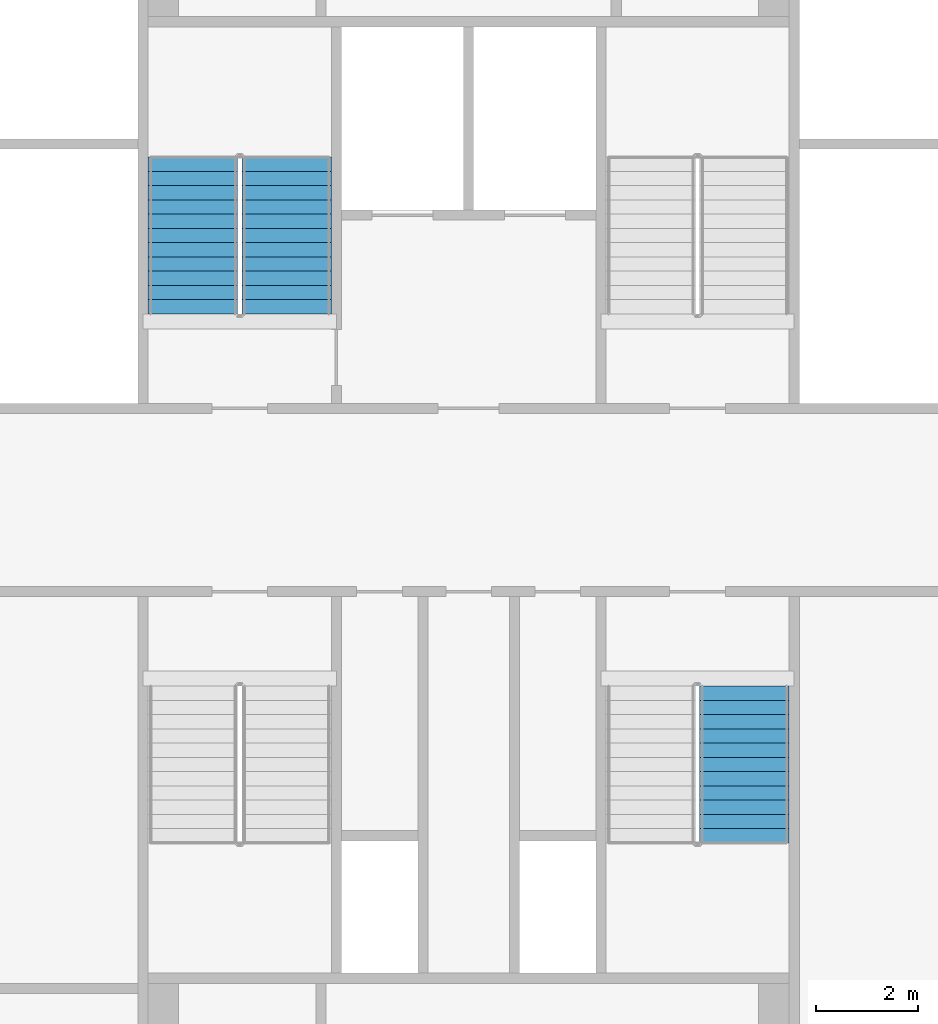
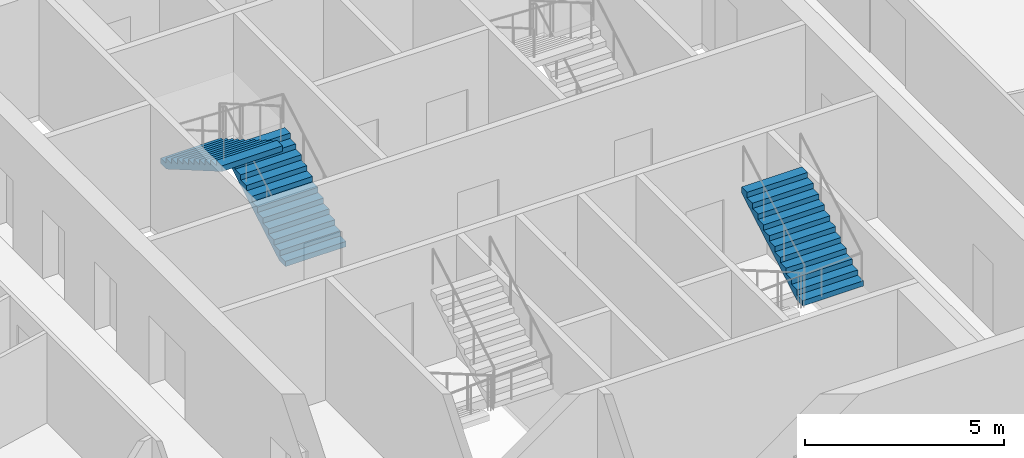
# One storey, part 16 of 22: 3 stair flights, 2 elements without a shape of their own.
"""IFC4 building model written with IfcOpenShell, lengths in metres."""

from ifc_helpers import new_model, si_unit, direction, frame, origin, place, context, subcontext, project, spatial, faceted_brep, material, type_object, element, aggregate, save


model = new_model("IFC4")

# Units and contexts
model_context = context("Model", 3, precision=1e-05, world=origin(), true_north=direction((0.0, 1.0)))
body_context = subcontext(model_context, "Body", "Model", "MODEL_VIEW")
ifc_project = project(units=[si_unit("LENGTHUNIT", "METRE"), si_unit("AREAUNIT", "SQUARE_METRE"), si_unit("VOLUMEUNIT", "CUBIC_METRE"), si_unit("PLANEANGLEUNIT", "RADIAN"), si_unit("MASSUNIT", "GRAM", prefix="KILO")], contexts=[model_context])

# Site, building, storey
site_placement = place(None, origin())
site = spatial("IfcSite", under=ifc_project, at=site_placement, CompositionType="ELEMENT")
building_placement = place(site_placement, origin())
building = spatial("IfcBuilding", under=site, at=building_placement, Name="Tarsis Ring Headquarters", CompositionType="ELEMENT")
storey_placement = place(building_placement, frame((0.0, 0.0, 339.199951171875)))
storey = spatial("IfcBuildingStorey", under=building, at=storey_placement, Name="L80", CompositionType="ELEMENT", Elevation=339.199951171875)

# Stair, stair flights
ifc_material_1 = material(Name="Core stair 1760")
stair_type = type_object("IfcStairType", Name="Core stair 1760", PredefinedType="HALF_TURN_STAIR", material=ifc_material_1)
stair_1_placement = place(storey_placement, origin())
stair_1 = element("IfcStair", 1, at=stair_1_placement, inside=storey, type_object=stair_type, Name="L80 Firefighting stair", PredefinedType="HALF_TURN_STAIR")
ifc_material_2 = material(Name="Concrete C40/50", Category="concrete")
stair_flight_type = type_object("IfcStairFlightType", Name="Core stair flight 1760", PredefinedType="STRAIGHT", material=ifc_material_2)
stair_flight_1_placement = place(storey_placement, frame((-3.580078125, 3.659912109375, 0.0), z_axis=(0.0, 0.0, 1.0), x_axis=(0.0, 1.0, 0.0)))
stair_flight_1 = element("IfcStairFlight", 2, at=stair_flight_1_placement, type_object=stair_flight_type, Name="Stair ST1 flight 1", NumberOfRisers=12, NumberOfTreads=11, PredefinedType="STRAIGHT", RiserHeight=0.1625, TreadLength=0.28, context=body_context, shape_type="Brep", body=[
    faceted_brep([(0.0, 0.8798828125, 0.0), (0.0, 0.8798828125, 0.16259765625), (0.280029296875, 0.8798828125, 0.16259765625), (0.280029296875, 0.8798828125, 0.324951171875), (0.56005859375, 0.8798828125, 0.324951171875), (0.56005859375, 0.8798828125, 0.487548828125), (0.840087890625, 0.8798828125, 0.487548828125), (0.840087890625, 0.8798828125, 0.64990234375), (1.1201171875, 0.8798828125, 0.64990234375), (1.1201171875, 0.8798828125, 0.8125), (1.39990234375, 0.8798828125, 0.8125), (1.39990234375, 0.8798828125, 0.97509765625), (1.679931640625, 0.8798828125, 0.97509765625), (1.679931640625, 0.8798828125, 1.137451171875), (1.9599609375, 0.8798828125, 1.137451171875), (1.9599609375, 0.8798828125, 1.300048828125), (2.239990234375, 0.8798828125, 1.300048828125), (2.239990234375, 0.8798828125, 1.46240234375), (2.52001953125, 0.8798828125, 1.46240234375), (2.52001953125, 0.8798828125, 1.625), (2.800048828125, 0.8798828125, 1.625), (2.800048828125, 0.8798828125, 1.78759765625), (3.080078125, 0.8798828125, 1.78759765625), (3.080078125, 0.8798828125, 1.6142578125), (0.298583984375, 0.8798828125, 0.0), (0.298583984375, -0.8798828125, 0.0), (3.080078125, -0.8798828125, 1.6142578125), (3.080078125, -0.8798828125, 1.78759765625), (2.800048828125, -0.8798828125, 1.78759765625), (2.800048828125, -0.8798828125, 1.625), (2.52001953125, -0.8798828125, 1.625), (2.52001953125, -0.8798828125, 1.46240234375), (2.239990234375, -0.8798828125, 1.46240234375), (2.239990234375, -0.8798828125, 1.300048828125), (1.9599609375, -0.8798828125, 1.300048828125), (1.9599609375, -0.8798828125, 1.137451171875), (1.679931640625, -0.8798828125, 1.137451171875), (1.679931640625, -0.8798828125, 0.97509765625), (1.39990234375, -0.8798828125, 0.97509765625), (1.39990234375, -0.8798828125, 0.8125), (1.1201171875, -0.8798828125, 0.8125), (1.1201171875, -0.8798828125, 0.64990234375), (0.840087890625, -0.8798828125, 0.64990234375), (0.840087890625, -0.8798828125, 0.487548828125), (0.56005859375, -0.8798828125, 0.487548828125), (0.56005859375, -0.8798828125, 0.324951171875), (0.280029296875, -0.8798828125, 0.324951171875), (0.280029296875, -0.8798828125, 0.16259765625), (0.0, -0.8798828125, 0.16259765625), (0.0, -0.8798828125, 0.0), (0.0, -0.43994140625, 0.16259765625), (0.0, -0.43994140625, 0.0), (0.0, 0.0, 0.16259765625), (0.0, 0.0, 0.0), (0.0, 0.43994140625, 0.16259765625), (0.0, 0.43994140625, 0.0), (0.280029296875, -0.43994140625, 0.16259765625), (0.280029296875, 0.0, 0.16259765625), (0.280029296875, 0.43994140625, 0.16259765625), (0.280029296875, -0.43994140625, 0.324951171875), (0.280029296875, 0.0, 0.324951171875), (0.280029296875, 0.43994140625, 0.324951171875), (0.56005859375, -0.43994140625, 0.324951171875), (0.56005859375, 0.0, 0.324951171875), (0.56005859375, 0.43994140625, 0.324951171875), (0.56005859375, -0.43994140625, 0.487548828125), (0.56005859375, 0.0, 0.487548828125), (0.56005859375, 0.43994140625, 0.487548828125), (0.840087890625, -0.43994140625, 0.487548828125), (0.840087890625, 0.0, 0.487548828125), (0.840087890625, 0.43994140625, 0.487548828125), (0.840087890625, -0.43994140625, 0.64990234375), (0.840087890625, 0.0, 0.64990234375), (0.840087890625, 0.43994140625, 0.64990234375), (1.1201171875, -0.43994140625, 0.64990234375), (1.1201171875, 0.0, 0.64990234375), (1.1201171875, 0.43994140625, 0.64990234375), (1.1201171875, -0.43994140625, 0.8125), (1.1201171875, 0.0, 0.8125), (1.1201171875, 0.43994140625, 0.8125), (1.39990234375, -0.43994140625, 0.8125), (1.39990234375, 0.0, 0.8125), (1.39990234375, 0.43994140625, 0.8125), (1.39990234375, -0.43994140625, 0.97509765625), (1.39990234375, 0.0, 0.97509765625), (1.39990234375, 0.43994140625, 0.97509765625), (1.679931640625, -0.43994140625, 0.97509765625), (1.679931640625, 0.0, 0.97509765625), (1.679931640625, 0.43994140625, 0.97509765625), (1.679931640625, -0.43994140625, 1.137451171875), (1.679931640625, 0.0, 1.137451171875), (1.679931640625, 0.43994140625, 1.137451171875), (1.9599609375, -0.43994140625, 1.137451171875), (1.9599609375, 0.0, 1.137451171875), (1.9599609375, 0.43994140625, 1.137451171875), (1.9599609375, -0.43994140625, 1.300048828125), (1.9599609375, 0.0, 1.300048828125), (1.9599609375, 0.43994140625, 1.300048828125), (2.239990234375, -0.43994140625, 1.300048828125), (2.239990234375, 0.0, 1.300048828125), (2.239990234375, 0.43994140625, 1.300048828125), (2.239990234375, -0.43994140625, 1.46240234375), (2.239990234375, 0.0, 1.46240234375), (2.239990234375, 0.43994140625, 1.46240234375), (2.52001953125, -0.43994140625, 1.46240234375), (2.52001953125, 0.0, 1.46240234375), (2.52001953125, 0.43994140625, 1.46240234375), (2.52001953125, -0.43994140625, 1.625), (2.52001953125, 0.0, 1.625), (2.52001953125, 0.43994140625, 1.625), (2.800048828125, -0.43994140625, 1.625), (2.800048828125, 0.0, 1.625), (2.800048828125, 0.43994140625, 1.625), (2.800048828125, -0.43994140625, 1.78759765625), (2.800048828125, 0.0, 1.78759765625), (2.800048828125, 0.43994140625, 1.78759765625), (3.080078125, -0.43994140625, 1.78759765625), (3.080078125, 0.0, 1.78759765625), (3.080078125, 0.43994140625, 1.78759765625), (3.080078125, -0.43994140625, 1.6142578125), (3.080078125, 0.0, 1.6142578125), (3.080078125, 0.43994140625, 1.6142578125), (0.298583984375, -0.43994140625, 0.0), (0.298583984375, 0.0, 0.0), (0.298583984375, 0.43994140625, 0.0)], [[[0, 1, 2, 3, 4, 5, 6, 7, 8, 9, 10, 11, 12, 13, 14, 15, 16, 17, 18, 19, 20, 21, 22, 23, 24]], [[25, 26, 27, 28, 29, 30, 31, 32, 33, 34, 35, 36, 37, 38, 39, 40, 41, 42, 43, 44, 45, 46, 47, 48, 49]], [[49, 48, 50, 51]], [[51, 50, 52, 53]], [[53, 52, 54, 55]], [[55, 54, 1, 0]], [[48, 47, 56, 50]], [[50, 56, 57, 52]], [[52, 57, 58, 54]], [[54, 58, 2, 1]], [[47, 46, 59, 56]], [[56, 59, 60, 57]], [[57, 60, 61, 58]], [[58, 61, 3, 2]], [[46, 45, 62, 59]], [[59, 62, 63, 60]], [[60, 63, 64, 61]], [[61, 64, 4, 3]], [[45, 44, 65, 62]], [[62, 65, 66, 63]], [[63, 66, 67, 64]], [[64, 67, 5, 4]], [[44, 43, 68, 65]], [[65, 68, 69, 66]], [[66, 69, 70, 67]], [[67, 70, 6, 5]], [[43, 42, 71, 68]], [[68, 71, 72, 69]], [[69, 72, 73, 70]], [[70, 73, 7, 6]], [[42, 41, 74, 71]], [[71, 74, 75, 72]], [[72, 75, 76, 73]], [[73, 76, 8, 7]], [[41, 40, 77, 74]], [[74, 77, 78, 75]], [[75, 78, 79, 76]], [[76, 79, 9, 8]], [[40, 39, 80, 77]], [[77, 80, 81, 78]], [[78, 81, 82, 79]], [[79, 82, 10, 9]], [[39, 38, 83, 80]], [[80, 83, 84, 81]], [[81, 84, 85, 82]], [[82, 85, 11, 10]], [[38, 37, 86, 83]], [[83, 86, 87, 84]], [[84, 87, 88, 85]], [[85, 88, 12, 11]], [[37, 36, 89, 86]], [[86, 89, 90, 87]], [[87, 90, 91, 88]], [[88, 91, 13, 12]], [[36, 35, 92, 89]], [[89, 92, 93, 90]], [[90, 93, 94, 91]], [[91, 94, 14, 13]], [[35, 34, 95, 92]], [[92, 95, 96, 93]], [[93, 96, 97, 94]], [[94, 97, 15, 14]], [[34, 33, 98, 95]], [[95, 98, 99, 96]], [[96, 99, 100, 97]], [[97, 100, 16, 15]], [[33, 32, 101, 98]], [[98, 101, 102, 99]], [[99, 102, 103, 100]], [[100, 103, 17, 16]], [[32, 31, 104, 101]], [[101, 104, 105, 102]], [[102, 105, 106, 103]], [[103, 106, 18, 17]], [[31, 30, 107, 104]], [[104, 107, 108, 105]], [[105, 108, 109, 106]], [[106, 109, 19, 18]], [[30, 29, 110, 107]], [[107, 110, 111, 108]], [[108, 111, 112, 109]], [[109, 112, 20, 19]], [[29, 28, 113, 110]], [[110, 113, 114, 111]], [[111, 114, 115, 112]], [[112, 115, 21, 20]], [[28, 27, 116, 113]], [[113, 116, 117, 114]], [[114, 117, 118, 115]], [[115, 118, 22, 21]], [[27, 26, 119, 116]], [[116, 119, 120, 117]], [[117, 120, 121, 118]], [[118, 121, 23, 22]], [[26, 25, 122, 119]], [[119, 122, 123, 120]], [[120, 123, 124, 121]], [[121, 124, 24, 23]], [[25, 49, 51, 122]], [[122, 51, 53, 123]], [[123, 53, 55, 124]], [[124, 55, 0, 24]]]),
])
stair_flight_2_placement = place(storey_placement, frame((-5.419921875, 6.739990234375, 1.949951171875), z_axis=(0.0, 0.0, 1.0), x_axis=(0.0, -1.0, 0.0)))
stair_flight_2 = element("IfcStairFlight", 3, at=stair_flight_2_placement, type_object=stair_flight_type, Name="Stair ST1 flight 2", NumberOfRisers=12, NumberOfTreads=11, PredefinedType="STRAIGHT", RiserHeight=0.1625, TreadLength=0.28, context=body_context, shape_type="Brep", body=[
    faceted_brep([(0.0, 0.8798828125, 0.0), (0.0, 0.8798828125, 0.16259765625), (0.280029296875, 0.8798828125, 0.16259765625), (0.280029296875, 0.8798828125, 0.324951171875), (0.56005859375, 0.8798828125, 0.324951171875), (0.56005859375, 0.8798828125, 0.487548828125), (0.840087890625, 0.8798828125, 0.487548828125), (0.840087890625, 0.8798828125, 0.64990234375), (1.1201171875, 0.8798828125, 0.64990234375), (1.1201171875, 0.8798828125, 0.8125), (1.39990234375, 0.8798828125, 0.8125), (1.39990234375, 0.8798828125, 0.97509765625), (1.679931640625, 0.8798828125, 0.97509765625), (1.679931640625, 0.8798828125, 1.137451171875), (1.9599609375, 0.8798828125, 1.137451171875), (1.9599609375, 0.8798828125, 1.300048828125), (2.239990234375, 0.8798828125, 1.300048828125), (2.239990234375, 0.8798828125, 1.46240234375), (2.52001953125, 0.8798828125, 1.46240234375), (2.52001953125, 0.8798828125, 1.625), (2.800048828125, 0.8798828125, 1.625), (2.800048828125, 0.8798828125, 1.78759765625), (3.080078125, 0.8798828125, 1.78759765625), (3.080078125, 0.8798828125, 1.6142578125), (0.298583984375, 0.8798828125, 0.0), (0.298583984375, -0.8798828125, 0.0), (3.080078125, -0.8798828125, 1.6142578125), (3.080078125, -0.8798828125, 1.78759765625), (2.800048828125, -0.8798828125, 1.78759765625), (2.800048828125, -0.8798828125, 1.625), (2.52001953125, -0.8798828125, 1.625), (2.52001953125, -0.8798828125, 1.46240234375), (2.239990234375, -0.8798828125, 1.46240234375), (2.239990234375, -0.8798828125, 1.300048828125), (1.9599609375, -0.8798828125, 1.300048828125), (1.9599609375, -0.8798828125, 1.137451171875), (1.679931640625, -0.8798828125, 1.137451171875), (1.679931640625, -0.8798828125, 0.97509765625), (1.39990234375, -0.8798828125, 0.97509765625), (1.39990234375, -0.8798828125, 0.8125), (1.1201171875, -0.8798828125, 0.8125), (1.1201171875, -0.8798828125, 0.64990234375), (0.840087890625, -0.8798828125, 0.64990234375), (0.840087890625, -0.8798828125, 0.487548828125), (0.56005859375, -0.8798828125, 0.487548828125), (0.56005859375, -0.8798828125, 0.324951171875), (0.280029296875, -0.8798828125, 0.324951171875), (0.280029296875, -0.8798828125, 0.16259765625), (0.0, -0.8798828125, 0.16259765625), (0.0, -0.8798828125, 0.0), (0.0, -0.43994140625, 0.16259765625), (0.0, -0.43994140625, 0.0), (0.0, 0.0, 0.16259765625), (0.0, 0.0, 0.0), (0.0, 0.43994140625, 0.16259765625), (0.0, 0.43994140625, 0.0), (0.280029296875, -0.43994140625, 0.16259765625), (0.280029296875, 0.0, 0.16259765625), (0.280029296875, 0.43994140625, 0.16259765625), (0.280029296875, -0.43994140625, 0.324951171875), (0.280029296875, 0.0, 0.324951171875), (0.280029296875, 0.43994140625, 0.324951171875), (0.56005859375, -0.43994140625, 0.324951171875), (0.56005859375, 0.0, 0.324951171875), (0.56005859375, 0.43994140625, 0.324951171875), (0.56005859375, -0.43994140625, 0.487548828125), (0.56005859375, 0.0, 0.487548828125), (0.56005859375, 0.43994140625, 0.487548828125), (0.840087890625, -0.43994140625, 0.487548828125), (0.840087890625, 0.0, 0.487548828125), (0.840087890625, 0.43994140625, 0.487548828125), (0.840087890625, -0.43994140625, 0.64990234375), (0.840087890625, 0.0, 0.64990234375), (0.840087890625, 0.43994140625, 0.64990234375), (1.1201171875, -0.43994140625, 0.64990234375), (1.1201171875, 0.0, 0.64990234375), (1.1201171875, 0.43994140625, 0.64990234375), (1.1201171875, -0.43994140625, 0.8125), (1.1201171875, 0.0, 0.8125), (1.1201171875, 0.43994140625, 0.8125), (1.39990234375, -0.43994140625, 0.8125), (1.39990234375, 0.0, 0.8125), (1.39990234375, 0.43994140625, 0.8125), (1.39990234375, -0.43994140625, 0.97509765625), (1.39990234375, 0.0, 0.97509765625), (1.39990234375, 0.43994140625, 0.97509765625), (1.679931640625, -0.43994140625, 0.97509765625), (1.679931640625, 0.0, 0.97509765625), (1.679931640625, 0.43994140625, 0.97509765625), (1.679931640625, -0.43994140625, 1.137451171875), (1.679931640625, 0.0, 1.137451171875), (1.679931640625, 0.43994140625, 1.137451171875), (1.9599609375, -0.43994140625, 1.137451171875), (1.9599609375, 0.0, 1.137451171875), (1.9599609375, 0.43994140625, 1.137451171875), (1.9599609375, -0.43994140625, 1.300048828125), (1.9599609375, 0.0, 1.300048828125), (1.9599609375, 0.43994140625, 1.300048828125), (2.239990234375, -0.43994140625, 1.300048828125), (2.239990234375, 0.0, 1.300048828125), (2.239990234375, 0.43994140625, 1.300048828125), (2.239990234375, -0.43994140625, 1.46240234375), (2.239990234375, 0.0, 1.46240234375), (2.239990234375, 0.43994140625, 1.46240234375), (2.52001953125, -0.43994140625, 1.46240234375), (2.52001953125, 0.0, 1.46240234375), (2.52001953125, 0.43994140625, 1.46240234375), (2.52001953125, -0.43994140625, 1.625), (2.52001953125, 0.0, 1.625), (2.52001953125, 0.43994140625, 1.625), (2.800048828125, -0.43994140625, 1.625), (2.800048828125, 0.0, 1.625), (2.800048828125, 0.43994140625, 1.625), (2.800048828125, -0.43994140625, 1.78759765625), (2.800048828125, 0.0, 1.78759765625), (2.800048828125, 0.43994140625, 1.78759765625), (3.080078125, -0.43994140625, 1.78759765625), (3.080078125, 0.0, 1.78759765625), (3.080078125, 0.43994140625, 1.78759765625), (3.080078125, -0.43994140625, 1.6142578125), (3.080078125, 0.0, 1.6142578125), (3.080078125, 0.43994140625, 1.6142578125), (0.298583984375, -0.43994140625, 0.0), (0.298583984375, 0.0, 0.0), (0.298583984375, 0.43994140625, 0.0)], [[[0, 1, 2, 3, 4, 5, 6, 7, 8, 9, 10, 11, 12, 13, 14, 15, 16, 17, 18, 19, 20, 21, 22, 23, 24]], [[25, 26, 27, 28, 29, 30, 31, 32, 33, 34, 35, 36, 37, 38, 39, 40, 41, 42, 43, 44, 45, 46, 47, 48, 49]], [[49, 48, 50, 51]], [[51, 50, 52, 53]], [[53, 52, 54, 55]], [[55, 54, 1, 0]], [[48, 47, 56, 50]], [[50, 56, 57, 52]], [[52, 57, 58, 54]], [[54, 58, 2, 1]], [[47, 46, 59, 56]], [[56, 59, 60, 57]], [[57, 60, 61, 58]], [[58, 61, 3, 2]], [[46, 45, 62, 59]], [[59, 62, 63, 60]], [[60, 63, 64, 61]], [[61, 64, 4, 3]], [[45, 44, 65, 62]], [[62, 65, 66, 63]], [[63, 66, 67, 64]], [[64, 67, 5, 4]], [[44, 43, 68, 65]], [[65, 68, 69, 66]], [[66, 69, 70, 67]], [[67, 70, 6, 5]], [[43, 42, 71, 68]], [[68, 71, 72, 69]], [[69, 72, 73, 70]], [[70, 73, 7, 6]], [[42, 41, 74, 71]], [[71, 74, 75, 72]], [[72, 75, 76, 73]], [[73, 76, 8, 7]], [[41, 40, 77, 74]], [[74, 77, 78, 75]], [[75, 78, 79, 76]], [[76, 79, 9, 8]], [[40, 39, 80, 77]], [[77, 80, 81, 78]], [[78, 81, 82, 79]], [[79, 82, 10, 9]], [[39, 38, 83, 80]], [[80, 83, 84, 81]], [[81, 84, 85, 82]], [[82, 85, 11, 10]], [[38, 37, 86, 83]], [[83, 86, 87, 84]], [[84, 87, 88, 85]], [[85, 88, 12, 11]], [[37, 36, 89, 86]], [[86, 89, 90, 87]], [[87, 90, 91, 88]], [[88, 91, 13, 12]], [[36, 35, 92, 89]], [[89, 92, 93, 90]], [[90, 93, 94, 91]], [[91, 94, 14, 13]], [[35, 34, 95, 92]], [[92, 95, 96, 93]], [[93, 96, 97, 94]], [[94, 97, 15, 14]], [[34, 33, 98, 95]], [[95, 98, 99, 96]], [[96, 99, 100, 97]], [[97, 100, 16, 15]], [[33, 32, 101, 98]], [[98, 101, 102, 99]], [[99, 102, 103, 100]], [[100, 103, 17, 16]], [[32, 31, 104, 101]], [[101, 104, 105, 102]], [[102, 105, 106, 103]], [[103, 106, 18, 17]], [[31, 30, 107, 104]], [[104, 107, 108, 105]], [[105, 108, 109, 106]], [[106, 109, 19, 18]], [[30, 29, 110, 107]], [[107, 110, 111, 108]], [[108, 111, 112, 109]], [[109, 112, 20, 19]], [[29, 28, 113, 110]], [[110, 113, 114, 111]], [[111, 114, 115, 112]], [[112, 115, 21, 20]], [[28, 27, 116, 113]], [[113, 116, 117, 114]], [[114, 117, 118, 115]], [[115, 118, 22, 21]], [[27, 26, 119, 116]], [[116, 119, 120, 117]], [[117, 120, 121, 118]], [[118, 121, 23, 22]], [[26, 25, 122, 119]], [[119, 122, 123, 120]], [[120, 123, 124, 121]], [[121, 124, 24, 23]], [[25, 49, 51, 122]], [[122, 51, 53, 123]], [[123, 53, 55, 124]], [[124, 55, 0, 24]]]),
])
aggregate(stair_1, [stair_flight_1, stair_flight_2])

# Stair, stair flight
stair_2_placement = place(storey_placement, origin())
stair_2 = element("IfcStair", 4, at=stair_2_placement, inside=storey, type_object=stair_type, Name="L80 Exit stair D", PredefinedType="HALF_TURN_STAIR")
stair_flight_3_placement = place(storey_placement, frame((5.419921875, -6.739990234375, 1.949951171875), z_axis=(0.0, 0.0, 1.0), x_axis=(0.0, 1.0, 0.0)))
stair_flight_3 = element("IfcStairFlight", 5, at=stair_flight_3_placement, type_object=stair_flight_type, Name="Stair ST4 flight 2", NumberOfRisers=12, NumberOfTreads=11, PredefinedType="STRAIGHT", RiserHeight=0.1625, TreadLength=0.28, context=body_context, shape_type="Brep", body=[
    faceted_brep([(0.0, 0.8798828125, 0.0), (0.0, 0.8798828125, 0.16259765625), (0.280029296875, 0.8798828125, 0.16259765625), (0.280029296875, 0.8798828125, 0.324951171875), (0.56005859375, 0.8798828125, 0.324951171875), (0.56005859375, 0.8798828125, 0.487548828125), (0.840087890625, 0.8798828125, 0.487548828125), (0.840087890625, 0.8798828125, 0.64990234375), (1.1201171875, 0.8798828125, 0.64990234375), (1.1201171875, 0.8798828125, 0.8125), (1.39990234375, 0.8798828125, 0.8125), (1.39990234375, 0.8798828125, 0.97509765625), (1.679931640625, 0.8798828125, 0.97509765625), (1.679931640625, 0.8798828125, 1.137451171875), (1.9599609375, 0.8798828125, 1.137451171875), (1.9599609375, 0.8798828125, 1.300048828125), (2.239990234375, 0.8798828125, 1.300048828125), (2.239990234375, 0.8798828125, 1.46240234375), (2.52001953125, 0.8798828125, 1.46240234375), (2.52001953125, 0.8798828125, 1.625), (2.800048828125, 0.8798828125, 1.625), (2.800048828125, 0.8798828125, 1.78759765625), (3.080078125, 0.8798828125, 1.78759765625), (3.080078125, 0.8798828125, 1.6142578125), (0.298583984375, 0.8798828125, 0.0), (0.298583984375, -0.8798828125, 0.0), (3.080078125, -0.8798828125, 1.6142578125), (3.080078125, -0.8798828125, 1.78759765625), (2.800048828125, -0.8798828125, 1.78759765625), (2.800048828125, -0.8798828125, 1.625), (2.52001953125, -0.8798828125, 1.625), (2.52001953125, -0.8798828125, 1.46240234375), (2.239990234375, -0.8798828125, 1.46240234375), (2.239990234375, -0.8798828125, 1.300048828125), (1.9599609375, -0.8798828125, 1.300048828125), (1.9599609375, -0.8798828125, 1.137451171875), (1.679931640625, -0.8798828125, 1.137451171875), (1.679931640625, -0.8798828125, 0.97509765625), (1.39990234375, -0.8798828125, 0.97509765625), (1.39990234375, -0.8798828125, 0.8125), (1.1201171875, -0.8798828125, 0.8125), (1.1201171875, -0.8798828125, 0.64990234375), (0.840087890625, -0.8798828125, 0.64990234375), (0.840087890625, -0.8798828125, 0.487548828125), (0.56005859375, -0.8798828125, 0.487548828125), (0.56005859375, -0.8798828125, 0.324951171875), (0.280029296875, -0.8798828125, 0.324951171875), (0.280029296875, -0.8798828125, 0.16259765625), (0.0, -0.8798828125, 0.16259765625), (0.0, -0.8798828125, 0.0), (0.0, -0.43994140625, 0.16259765625), (0.0, -0.43994140625, 0.0), (0.0, 0.0, 0.16259765625), (0.0, 0.0, 0.0), (0.0, 0.43994140625, 0.16259765625), (0.0, 0.43994140625, 0.0), (0.280029296875, -0.43994140625, 0.16259765625), (0.280029296875, 0.0, 0.16259765625), (0.280029296875, 0.43994140625, 0.16259765625), (0.280029296875, -0.43994140625, 0.324951171875), (0.280029296875, 0.0, 0.324951171875), (0.280029296875, 0.43994140625, 0.324951171875), (0.56005859375, -0.43994140625, 0.324951171875), (0.56005859375, 0.0, 0.324951171875), (0.56005859375, 0.43994140625, 0.324951171875), (0.56005859375, -0.43994140625, 0.487548828125), (0.56005859375, 0.0, 0.487548828125), (0.56005859375, 0.43994140625, 0.487548828125), (0.840087890625, -0.43994140625, 0.487548828125), (0.840087890625, 0.0, 0.487548828125), (0.840087890625, 0.43994140625, 0.487548828125), (0.840087890625, -0.43994140625, 0.64990234375), (0.840087890625, 0.0, 0.64990234375), (0.840087890625, 0.43994140625, 0.64990234375), (1.1201171875, -0.43994140625, 0.64990234375), (1.1201171875, 0.0, 0.64990234375), (1.1201171875, 0.43994140625, 0.64990234375), (1.1201171875, -0.43994140625, 0.8125), (1.1201171875, 0.0, 0.8125), (1.1201171875, 0.43994140625, 0.8125), (1.39990234375, -0.43994140625, 0.8125), (1.39990234375, 0.0, 0.8125), (1.39990234375, 0.43994140625, 0.8125), (1.39990234375, -0.43994140625, 0.97509765625), (1.39990234375, 0.0, 0.97509765625), (1.39990234375, 0.43994140625, 0.97509765625), (1.679931640625, -0.43994140625, 0.97509765625), (1.679931640625, 0.0, 0.97509765625), (1.679931640625, 0.43994140625, 0.97509765625), (1.679931640625, -0.43994140625, 1.137451171875), (1.679931640625, 0.0, 1.137451171875), (1.679931640625, 0.43994140625, 1.137451171875), (1.9599609375, -0.43994140625, 1.137451171875), (1.9599609375, 0.0, 1.137451171875), (1.9599609375, 0.43994140625, 1.137451171875), (1.9599609375, -0.43994140625, 1.300048828125), (1.9599609375, 0.0, 1.300048828125), (1.9599609375, 0.43994140625, 1.300048828125), (2.239990234375, -0.43994140625, 1.300048828125), (2.239990234375, 0.0, 1.300048828125), (2.239990234375, 0.43994140625, 1.300048828125), (2.239990234375, -0.43994140625, 1.46240234375), (2.239990234375, 0.0, 1.46240234375), (2.239990234375, 0.43994140625, 1.46240234375), (2.52001953125, -0.43994140625, 1.46240234375), (2.52001953125, 0.0, 1.46240234375), (2.52001953125, 0.43994140625, 1.46240234375), (2.52001953125, -0.43994140625, 1.625), (2.52001953125, 0.0, 1.625), (2.52001953125, 0.43994140625, 1.625), (2.800048828125, -0.43994140625, 1.625), (2.800048828125, 0.0, 1.625), (2.800048828125, 0.43994140625, 1.625), (2.800048828125, -0.43994140625, 1.78759765625), (2.800048828125, 0.0, 1.78759765625), (2.800048828125, 0.43994140625, 1.78759765625), (3.080078125, -0.43994140625, 1.78759765625), (3.080078125, 0.0, 1.78759765625), (3.080078125, 0.43994140625, 1.78759765625), (3.080078125, -0.43994140625, 1.6142578125), (3.080078125, 0.0, 1.6142578125), (3.080078125, 0.43994140625, 1.6142578125), (0.298583984375, -0.43994140625, 0.0), (0.298583984375, 0.0, 0.0), (0.298583984375, 0.43994140625, 0.0)], [[[0, 1, 2, 3, 4, 5, 6, 7, 8, 9, 10, 11, 12, 13, 14, 15, 16, 17, 18, 19, 20, 21, 22, 23, 24]], [[25, 26, 27, 28, 29, 30, 31, 32, 33, 34, 35, 36, 37, 38, 39, 40, 41, 42, 43, 44, 45, 46, 47, 48, 49]], [[49, 48, 50, 51]], [[51, 50, 52, 53]], [[53, 52, 54, 55]], [[55, 54, 1, 0]], [[48, 47, 56, 50]], [[50, 56, 57, 52]], [[52, 57, 58, 54]], [[54, 58, 2, 1]], [[47, 46, 59, 56]], [[56, 59, 60, 57]], [[57, 60, 61, 58]], [[58, 61, 3, 2]], [[46, 45, 62, 59]], [[59, 62, 63, 60]], [[60, 63, 64, 61]], [[61, 64, 4, 3]], [[45, 44, 65, 62]], [[62, 65, 66, 63]], [[63, 66, 67, 64]], [[64, 67, 5, 4]], [[44, 43, 68, 65]], [[65, 68, 69, 66]], [[66, 69, 70, 67]], [[67, 70, 6, 5]], [[43, 42, 71, 68]], [[68, 71, 72, 69]], [[69, 72, 73, 70]], [[70, 73, 7, 6]], [[42, 41, 74, 71]], [[71, 74, 75, 72]], [[72, 75, 76, 73]], [[73, 76, 8, 7]], [[41, 40, 77, 74]], [[74, 77, 78, 75]], [[75, 78, 79, 76]], [[76, 79, 9, 8]], [[40, 39, 80, 77]], [[77, 80, 81, 78]], [[78, 81, 82, 79]], [[79, 82, 10, 9]], [[39, 38, 83, 80]], [[80, 83, 84, 81]], [[81, 84, 85, 82]], [[82, 85, 11, 10]], [[38, 37, 86, 83]], [[83, 86, 87, 84]], [[84, 87, 88, 85]], [[85, 88, 12, 11]], [[37, 36, 89, 86]], [[86, 89, 90, 87]], [[87, 90, 91, 88]], [[88, 91, 13, 12]], [[36, 35, 92, 89]], [[89, 92, 93, 90]], [[90, 93, 94, 91]], [[91, 94, 14, 13]], [[35, 34, 95, 92]], [[92, 95, 96, 93]], [[93, 96, 97, 94]], [[94, 97, 15, 14]], [[34, 33, 98, 95]], [[95, 98, 99, 96]], [[96, 99, 100, 97]], [[97, 100, 16, 15]], [[33, 32, 101, 98]], [[98, 101, 102, 99]], [[99, 102, 103, 100]], [[100, 103, 17, 16]], [[32, 31, 104, 101]], [[101, 104, 105, 102]], [[102, 105, 106, 103]], [[103, 106, 18, 17]], [[31, 30, 107, 104]], [[104, 107, 108, 105]], [[105, 108, 109, 106]], [[106, 109, 19, 18]], [[30, 29, 110, 107]], [[107, 110, 111, 108]], [[108, 111, 112, 109]], [[109, 112, 20, 19]], [[29, 28, 113, 110]], [[110, 113, 114, 111]], [[111, 114, 115, 112]], [[112, 115, 21, 20]], [[28, 27, 116, 113]], [[113, 116, 117, 114]], [[114, 117, 118, 115]], [[115, 118, 22, 21]], [[27, 26, 119, 116]], [[116, 119, 120, 117]], [[117, 120, 121, 118]], [[118, 121, 23, 22]], [[26, 25, 122, 119]], [[119, 122, 123, 120]], [[120, 123, 124, 121]], [[121, 124, 24, 23]], [[25, 49, 51, 122]], [[122, 51, 53, 123]], [[123, 53, 55, 124]], [[124, 55, 0, 24]]]),
])
aggregate(stair_2, [stair_flight_3])

save(model, "model.ifc")
